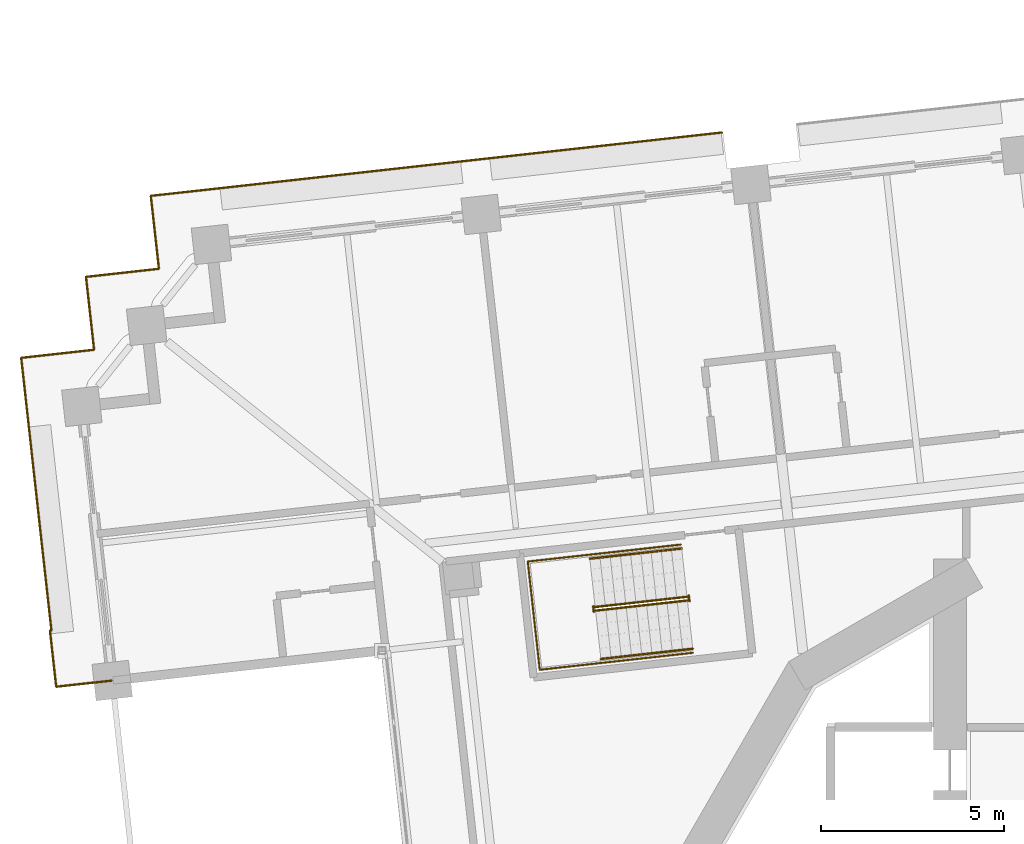
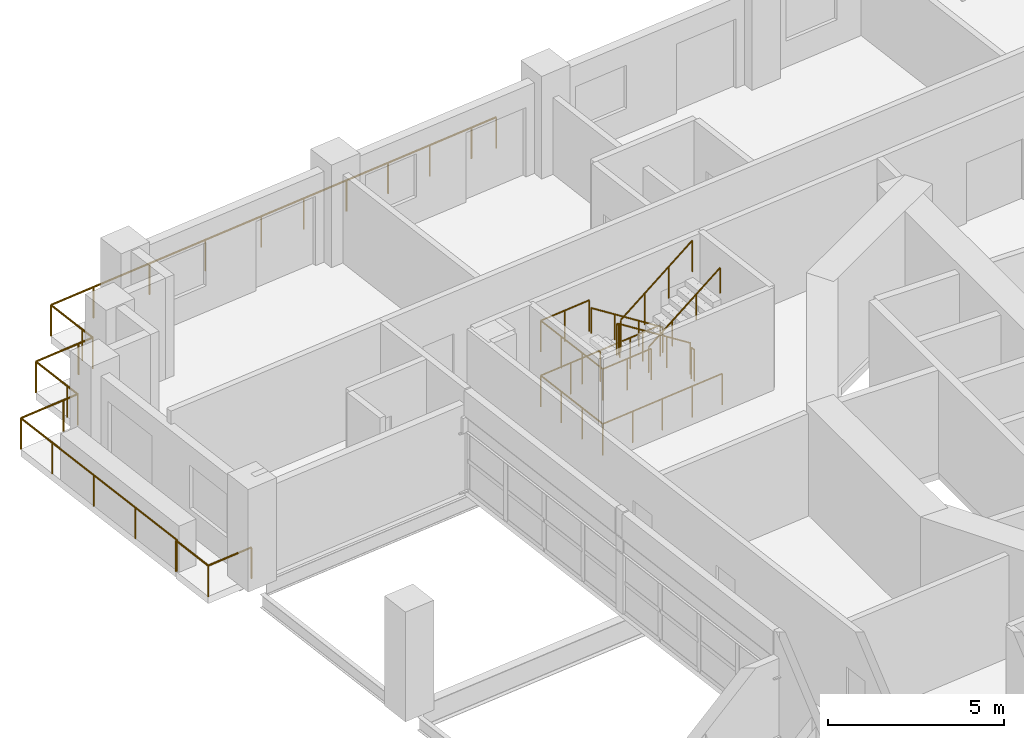
# One storey, part 18 of 21: 9 railings.
"""IFC4 building model written with IfcOpenShell, lengths in metres."""

from ifc_helpers import new_model, si_unit, direction, frame, origin, origin_2d, place, context, subcontext, project, spatial, circle, extrude, material, type_object, element, save


model = new_model("IFC4")

# Units and contexts
model_context = context("Model", 3, precision=1e-05, world=origin(), true_north=direction((0.0, 1.0)))
body_context = subcontext(model_context, "Body", "Model", "MODEL_VIEW")
ifc_project = project(units=[si_unit("LENGTHUNIT", "METRE"), si_unit("AREAUNIT", "SQUARE_METRE"), si_unit("VOLUMEUNIT", "CUBIC_METRE"), si_unit("PLANEANGLEUNIT", "RADIAN"), si_unit("MASSUNIT", "GRAM", prefix="KILO")], contexts=[model_context])

# Site, building, storey
site_placement = place(None, origin())
site = spatial("IfcSite", under=ifc_project, at=site_placement, CompositionType="ELEMENT")
building_placement = place(site_placement, origin())
building = spatial("IfcBuilding", under=site, at=building_placement, Name="Cantera Rosa Tower", CompositionType="ELEMENT")
storey_placement = place(building_placement, frame((0.0, 0.0, 69.10009765625)))
storey = spatial("IfcBuildingStorey", under=building, at=storey_placement, Name="L14", CompositionType="ELEMENT", Elevation=69.10009765625)

# Railings
ifc_material_1 = material(Name="Stainless steel and laminated glass", Category="steel")
railing_type_1 = type_object("IfcRailingType", Name="GUARD 1100", PredefinedType="BALUSTRADE", material=ifc_material_1)
railing_1_placement = place(storey_placement, frame((-28.279541015625, 17.285888671875, 0.0)))
element("IfcRailing", 1, at=railing_1_placement, inside=storey, type_object=railing_type_1, Name="GUARD L14-4", PredefinedType="BALUSTRADE", context=body_context, shape_type="SweptSolid", body=[
    extrude(circle(Radius=0.030029296875, at=origin_2d()), frame((0.0, 0.0, 1.070068359375), z_axis=(0.993895635261, 0.110324368158, 0.0), x_axis=(-0.110324368158, 0.993895635261, 0.0)), (0.0, 0.0, 1.0), 0.500244140625),
    extrude(circle(Radius=0.030029296875, at=origin_2d()), frame((0.4970703125, 0.05517578125, 1.070068359375), z_axis=(-0.110324368158, 0.993895635261, 0.0), x_axis=(-0.993895635261, -0.110324368158, 0.0)), (0.0, 0.0, 1.0), 0.500244140625),
    extrude(circle(Radius=0.030029296875, at=origin_2d()), frame((0.44189453125, 0.55224609375, 1.070068359375), z_axis=(-0.110360064491, 0.993891672249, 0.0), x_axis=(-0.993891672249, -0.110360064491, 0.0)), (0.0, 0.0, 1.0), 1.5),
    extrude(circle(Radius=0.030029296875, at=origin_2d()), frame((0.2763671875, 2.04296875, 1.070068359375), z_axis=(0.993893654236, 0.110342213455, 0.0), x_axis=(-0.110342213455, 0.993893654236, 0.0)), (0.0, 0.0, 1.0), 1.500244140625),
    extrude(circle(Radius=0.030029296875, at=origin_2d()), frame((1.767333984375, 2.20849609375, 1.070068359375), z_axis=(0.9938896893, 0.110377921269, 0.0), x_axis=(-0.110377921269, 0.9938896893, 0.0)), (0.0, 0.0, 1.0), 0.5),
    extrude(circle(Radius=0.030029296875, at=origin_2d()), frame((2.26416015625, 2.263671875, 1.070068359375), z_axis=(-0.110377921269, 0.9938896893, 0.0), x_axis=(-0.9938896893, -0.110377921269, 0.0)), (0.0, 0.0, 1.0), 0.5),
    extrude(circle(Radius=0.030029296875, at=origin_2d()), frame((2.208984375, 2.760498046875, 1.070068359375), z_axis=(-0.110181444005, 0.99391148972, 0.0), x_axis=(-0.99391148972, -0.110181444005, 0.0)), (0.0, 0.0, 1.0), 1.5),
    extrude(circle(Radius=0.030029296875, at=origin_2d()), frame((2.043701171875, 4.25146484375, 1.070068359375), z_axis=(0.993909513469, 0.110199269672, 0.0), x_axis=(-0.110199269672, 0.993909513469, 0.0)), (0.0, 0.0, 1.0), 1.499755859375),
    extrude(circle(Radius=0.030029296875, at=origin_2d()), frame((3.534423828125, 4.416748046875, 1.070068359375), z_axis=(0.993896343916, 0.1103179838, 0.0), x_axis=(-0.1103179838, 0.993896343916, 0.0)), (0.0, 0.0, 1.0), 5.900146484375),
    extrude(circle(Radius=0.030029296875, at=origin_2d()), frame((9.3984375, 5.067626953125, 1.070068359375), z_axis=(0.993892663362, 0.110351138256, 0.0), x_axis=(-0.110351138256, 0.993892663362, 0.0)), (0.0, 0.0, 1.0), 3.0),
    extrude(circle(Radius=0.030029296875, at=origin_2d()), frame((12.380126953125, 5.398681640625, 1.070068359375), z_axis=(0.993897260817, 0.110309722784, 0.0), x_axis=(-0.110309722784, 0.993897260817, 0.0)), (0.0, 0.0, 1.0), 4.39990234375),
    extrude(circle(Radius=0.030029296875, at=origin_2d()), frame((16.753173828125, 5.884033203125, 1.070068359375), z_axis=(0.993900832769, 0.110277534522, 0.0), x_axis=(-0.110277534522, 0.993900832769, 0.0)), (0.0, 0.0, 1.0), 0.8701171875),
    extrude(circle(Radius=0.02490234375, at=origin_2d()), origin(), (0.0, 0.0, 1.0), 1.0400390625),
    extrude(circle(Radius=0.02490234375, at=origin_2d()), frame((0.4970703125, 0.05517578125, 0.0)), (0.0, 0.0, 1.0), 1.0400390625),
    extrude(circle(Radius=0.02490234375, at=origin_2d()), frame((0.44189453125, 0.55224609375, 0.0)), (0.0, 0.0, 1.0), 1.0400390625),
    extrude(circle(Radius=0.02490234375, at=origin_2d()), frame((0.2763671875, 2.04296875, 0.0)), (0.0, 0.0, 1.0), 1.0400390625),
    extrude(circle(Radius=0.02490234375, at=origin_2d()), frame((1.767333984375, 2.20849609375, 0.0)), (0.0, 0.0, 1.0), 1.0400390625),
    extrude(circle(Radius=0.02490234375, at=origin_2d()), frame((2.26416015625, 2.263671875, 0.0)), (0.0, 0.0, 1.0), 1.0400390625),
    extrude(circle(Radius=0.02490234375, at=origin_2d()), frame((2.208984375, 2.760498046875, 0.0)), (0.0, 0.0, 1.0), 1.0400390625),
    extrude(circle(Radius=0.02490234375, at=origin_2d()), frame((2.043701171875, 4.25146484375, 0.0)), (0.0, 0.0, 1.0), 1.0400390625),
    extrude(circle(Radius=0.02490234375, at=origin_2d()), frame((3.534423828125, 4.416748046875, 0.0)), (0.0, 0.0, 1.0), 1.0400390625),
    extrude(circle(Radius=0.02490234375, at=origin_2d()), frame((5.489013671875, 4.6337890625, 0.0)), (0.0, 0.0, 1.0), 1.0400390625),
    extrude(circle(Radius=0.02490234375, at=origin_2d()), frame((7.44384765625, 4.8505859375, 0.0)), (0.0, 0.0, 1.0), 1.0400390625),
    extrude(circle(Radius=0.02490234375, at=origin_2d()), frame((9.3984375, 5.067626953125, 0.0)), (0.0, 0.0, 1.0), 1.0400390625),
    extrude(circle(Radius=0.02490234375, at=origin_2d()), frame((10.88916015625, 5.233154296875, 0.0)), (0.0, 0.0, 1.0), 1.0400390625),
    extrude(circle(Radius=0.02490234375, at=origin_2d()), frame((12.380126953125, 5.398681640625, 0.0)), (0.0, 0.0, 1.0), 1.0400390625),
    extrude(circle(Radius=0.02490234375, at=origin_2d()), frame((13.837890625, 5.560546875, 0.0)), (0.0, 0.0, 1.0), 1.0400390625),
    extrude(circle(Radius=0.02490234375, at=origin_2d()), frame((15.29541015625, 5.72216796875, 0.0)), (0.0, 0.0, 1.0), 1.0400390625),
    extrude(circle(Radius=0.02490234375, at=origin_2d()), frame((16.753173828125, 5.884033203125, 0.0)), (0.0, 0.0, 1.0), 1.0400390625),
    extrude(circle(Radius=0.02490234375, at=origin_2d()), frame((17.617919921875, 5.97998046875, 0.0)), (0.0, 0.0, 1.0), 1.0400390625),
])
railing_2_placement = place(storey_placement, frame((-27.30419921875, 8.31884765625, 0.0)))
element("IfcRailing", 2, at=railing_2_placement, inside=storey, type_object=railing_type_1, Name="GUARD L14-5", PredefinedType="BALUSTRADE", context=body_context, shape_type="SweptSolid", body=[
    extrude(circle(Radius=0.030029296875, at=origin_2d()), frame((0.0, 0.0, 1.070068359375), z_axis=(-0.993895479582, -0.110325770637, 0.0), x_axis=(0.110325770637, -0.993895479582, 0.0)), (0.0, 0.0, 1.0), 1.520263671875),
    extrude(circle(Radius=0.030029296875, at=origin_2d()), frame((-1.510986328125, -0.167724609375, 1.070068359375), z_axis=(-0.11032713688, 0.993895327923, 0.0), x_axis=(-0.993895327923, -0.11032713688, 0.0)), (0.0, 0.0, 1.0), 1.540283203125),
    extrude(circle(Radius=0.030029296875, at=origin_2d()), frame((-1.680908203125, 1.363037109375, 1.070068359375), z_axis=(0.994030677348, 0.109100928002, 0.0), x_axis=(-0.109100928002, 0.994030677348, 0.0)), (0.0, 0.0, 1.0), 0.040283203125),
    extrude(circle(Radius=0.030029296875, at=origin_2d()), frame((-1.640869140625, 1.367431640625, 1.070068359375), z_axis=(-0.110315018508, 0.993896673046, 0.0), x_axis=(-0.993896673046, -0.110315018508, 0.0)), (0.0, 0.0, 1.0), 5.979736328125),
    extrude(circle(Radius=0.030029296875, at=origin_2d()), frame((-2.300537109375, 7.310791015625, 1.070068359375), z_axis=(-0.110360064491, 0.993891672249, 0.0), x_axis=(-0.993891672249, -0.110360064491, 0.0)), (0.0, 0.0, 1.0), 1.5),
    extrude(circle(Radius=0.030029296875, at=origin_2d()), frame((-2.466064453125, 8.801513671875, 1.070068359375), z_axis=(0.993891672249, 0.110360064491, 0.0), x_axis=(-0.110360064491, 0.993891672249, 0.0)), (0.0, 0.0, 1.0), 1.5),
    extrude(circle(Radius=0.02490234375, at=origin_2d()), origin(), (0.0, 0.0, 1.0), 1.0400390625),
    extrude(circle(Radius=0.02490234375, at=origin_2d()), frame((-1.510986328125, -0.167724609375, 0.0)), (0.0, 0.0, 1.0), 1.0400390625),
    extrude(circle(Radius=0.02490234375, at=origin_2d()), frame((-1.680908203125, 1.363037109375, 0.0)), (0.0, 0.0, 1.0), 1.0400390625),
    extrude(circle(Radius=0.02490234375, at=origin_2d()), frame((-1.640869140625, 1.367431640625, 0.0)), (0.0, 0.0, 1.0), 1.0400390625),
    extrude(circle(Radius=0.02490234375, at=origin_2d()), frame((-1.86083984375, 3.3486328125, 0.0)), (0.0, 0.0, 1.0), 1.0400390625),
    extrude(circle(Radius=0.02490234375, at=origin_2d()), frame((-2.08056640625, 5.32958984375, 0.0)), (0.0, 0.0, 1.0), 1.0400390625),
    extrude(circle(Radius=0.02490234375, at=origin_2d()), frame((-2.300537109375, 7.310791015625, 0.0)), (0.0, 0.0, 1.0), 1.0400390625),
    extrude(circle(Radius=0.02490234375, at=origin_2d()), frame((-2.466064453125, 8.801513671875, 0.0)), (0.0, 0.0, 1.0), 1.0400390625),
    extrude(circle(Radius=0.02490234375, at=origin_2d()), frame((-0.975341796875, 8.967041015625, 0.0)), (0.0, 0.0, 1.0), 1.0400390625),
])
ifc_material_2 = material(Name="Steel S355J2 (EN 10025-2)", Category="steel")
railing_type_2 = type_object("IfcRailingType", Name="STAIR GUARD 1100", PredefinedType="GUARDRAIL", material=ifc_material_2)
railing_3_placement = place(storey_placement, frame((-11.614013671875, 10.60302734375, 0.18994140625)))
element("IfcRailing", 3, at=railing_3_placement, inside=storey, type_object=railing_type_2, Name="L14 ST-12 stair guard 1", PredefinedType="GUARDRAIL", context=body_context, shape_type="SweptSolid", body=[
    extrude(circle(Radius=0.02392578125, at=origin_2d()), frame((0.0, 0.0, 1.076171875), z_axis=(-0.822437355244, -0.09123050105, 0.561492468674), x_axis=(0.110250758185, -0.993903803353, 0.0)), (0.0, 0.0, 1.0), 3.04541015625),
    extrude(circle(Radius=0.02392578125, at=origin_2d()), frame((-2.504638671875, -0.27783203125, 2.7861328125), z_axis=(-0.932897555956, 0.360141847183, 0.0), x_axis=(-0.360141847183, -0.932897555956, 0.0)), (0.0, 0.0, 1.0), 0.05615234375),
    extrude(circle(Radius=0.02392578125, at=origin_2d()), frame((-2.55712890625, -0.257568359375, 2.7861328125), z_axis=(0.110610055588, -0.993863881828, 0.0), x_axis=(0.993863881828, 0.110610055588, 0.0)), (0.0, 0.0, 1.0), 0.150146484375),
    extrude(circle(Radius=0.02099609375, at=origin_2d()), origin(), (0.0, 0.0, 1.0), 1.052001953125),
    extrude(circle(Radius=0.02099609375, at=origin_2d()), frame((-0.8349609375, -0.092529296875, 0.570068359375)), (0.0, 0.0, 1.0), 1.052001953125),
    extrude(circle(Radius=0.02099609375, at=origin_2d()), frame((-1.669677734375, -0.185302734375, 1.139892578125)), (0.0, 0.0, 1.0), 1.052001953125),
    extrude(circle(Radius=0.02099609375, at=origin_2d()), frame((-2.504638671875, -0.27783203125, 1.7099609375)), (0.0, 0.0, 1.0), 1.052001953125),
    extrude(circle(Radius=0.02099609375, at=origin_2d()), frame((-2.55712890625, -0.257568359375, 1.7099609375)), (0.0, 0.0, 1.0), 1.052001953125),
    extrude(circle(Radius=0.02099609375, at=origin_2d()), frame((-2.54052734375, -0.40673828125, 1.7099609375)), (0.0, 0.0, 1.0), 1.052001953125),
])
railing_4_placement = place(storey_placement, frame((-14.107666015625, 10.227783203125, 2.08984375)))
element("IfcRailing", 4, at=railing_4_placement, inside=storey, type_object=railing_type_2, Name="L14 ST-12 stair guard 2", PredefinedType="GUARDRAIL", context=body_context, shape_type="SweptSolid", body=[
    extrude(circle(Radius=0.02392578125, at=origin_2d()), frame((0.0, 0.0, 1.076171875), z_axis=(0.822437355244, 0.09123050105, 0.561492468674), x_axis=(-0.110250758185, 0.993903803353, 0.0)), (0.0, 0.0, 1.0), 3.04541015625),
    extrude(circle(Radius=0.02099609375, at=origin_2d()), origin(), (0.0, 0.0, 1.0), 1.052001953125),
    extrude(circle(Radius=0.02099609375, at=origin_2d()), frame((0.8349609375, 0.092529296875, 0.570068359375)), (0.0, 0.0, 1.0), 1.052001953125),
    extrude(circle(Radius=0.02099609375, at=origin_2d()), frame((1.669677734375, 0.185302734375, 1.139892578125)), (0.0, 0.0, 1.0), 1.052001953125),
    extrude(circle(Radius=0.02099609375, at=origin_2d()), frame((2.504638671875, 0.27783203125, 1.7099609375)), (0.0, 0.0, 1.0), 1.052001953125),
])
railing_5_placement = place(storey_placement, frame((-11.567138671875, 10.634521484375, 0.0)))
element("IfcRailing", 5, at=railing_5_placement, inside=storey, type_object=railing_type_2, Name="L14 ST-12 stair guard 3", PredefinedType="GUARDRAIL", context=body_context, shape_type="SweptSolid", body=[
    extrude(circle(Radius=0.02392578125, at=origin_2d()), frame((0.0, 0.0, 1.076171875), z_axis=(0.110610055588, -0.993863881828, 0.0), x_axis=(0.993863881828, 0.110610055588, 0.0)), (0.0, 0.0, 1.0), 0.150146484375),
    extrude(circle(Radius=0.02099609375, at=origin_2d()), origin(), (0.0, 0.0, 1.0), 1.052001953125),
    extrude(circle(Radius=0.02099609375, at=origin_2d()), frame((0.0166015625, -0.149169921875, 0.0)), (0.0, 0.0, 1.0), 1.052001953125),
])
railing_6_placement = place(storey_placement, frame((-11.7841796875, 12.029052734375, 0.0)))
element("IfcRailing", 6, at=railing_6_placement, inside=storey, type_object=railing_type_2, Name="L14 ST-12 stair guard 4", PredefinedType="GUARDRAIL", context=body_context, shape_type="SweptSolid", body=[
    extrude(circle(Radius=0.02392578125, at=origin_2d()), frame((0.0, 0.0, 1.076171875), z_axis=(-0.9938957856, -0.110323013767, 0.0), x_axis=(0.110323013767, -0.9938957856, 0.0)), (0.0, 0.0, 1.0), 4.197998046875),
    extrude(circle(Radius=0.02392578125, at=origin_2d()), frame((-4.17236328125, -0.463134765625, 1.076171875), z_axis=(0.11023303584, -0.99390576908, 0.0), x_axis=(0.99390576908, 0.11023303584, 0.0)), (0.0, 0.0, 1.0), 2.969970703125),
    extrude(circle(Radius=0.02392578125, at=origin_2d()), frame((-3.844970703125, -3.4150390625, 1.076171875), z_axis=(0.993896493372, 0.11031663729, 0.0), x_axis=(-0.11031663729, 0.993896493372, 0.0)), (0.0, 0.0, 1.0), 4.1982421875),
    extrude(circle(Radius=0.02099609375, at=origin_2d()), origin(), (0.0, 0.0, 1.0), 1.052001953125),
    extrude(circle(Radius=0.02099609375, at=origin_2d()), frame((-1.04296875, -0.11572265625, 0.0)), (0.0, 0.0, 1.0), 1.052001953125),
    extrude(circle(Radius=0.02099609375, at=origin_2d()), frame((-2.086181640625, -0.2314453125, 0.0)), (0.0, 0.0, 1.0), 1.052001953125),
    extrude(circle(Radius=0.02099609375, at=origin_2d()), frame((-3.12939453125, -0.347412109375, 0.0)), (0.0, 0.0, 1.0), 1.052001953125),
    extrude(circle(Radius=0.02099609375, at=origin_2d()), frame((-4.17236328125, -0.463134765625, 0.0)), (0.0, 0.0, 1.0), 1.052001953125),
    extrude(circle(Radius=0.02099609375, at=origin_2d()), frame((-4.063232421875, -1.447021484375, 0.0)), (0.0, 0.0, 1.0), 1.052001953125),
    extrude(circle(Radius=0.02099609375, at=origin_2d()), frame((-3.9541015625, -2.43115234375, 0.0)), (0.0, 0.0, 1.0), 1.052001953125),
    extrude(circle(Radius=0.02099609375, at=origin_2d()), frame((-3.844970703125, -3.4150390625, 0.0)), (0.0, 0.0, 1.0), 1.052001953125),
    extrude(circle(Radius=0.02099609375, at=origin_2d()), frame((-2.8017578125, -3.29931640625, 0.0)), (0.0, 0.0, 1.0), 1.052001953125),
    extrude(circle(Radius=0.02099609375, at=origin_2d()), frame((-1.7587890625, -3.18359375, 0.0)), (0.0, 0.0, 1.0), 1.052001953125),
    extrude(circle(Radius=0.02099609375, at=origin_2d()), frame((-0.715576171875, -3.067626953125, 0.0)), (0.0, 0.0, 1.0), 1.052001953125),
    extrude(circle(Radius=0.02099609375, at=origin_2d()), frame((0.32763671875, -2.951904296875, 0.0)), (0.0, 0.0, 1.0), 1.052001953125),
])
railing_7_placement = place(storey_placement, frame((-14.26513671875, 11.753662109375, 1.89990234375)))
element("IfcRailing", 7, at=railing_7_placement, inside=storey, type_object=railing_type_2, Name="L14 ST-12 stair guard 5", PredefinedType="GUARDRAIL", context=body_context, shape_type="SweptSolid", body=[
    extrude(circle(Radius=0.02392578125, at=origin_2d()), frame((0.0, 0.0, 1.076171875), z_axis=(-0.99389597521, -0.110321305562, 0.0), x_axis=(0.110321305562, -0.99389597521, 0.0)), (0.0, 0.0, 1.0), 1.701904296875),
    extrude(circle(Radius=0.02392578125, at=origin_2d()), frame((-1.69140625, -0.187744140625, 1.076171875), z_axis=(0.11023303584, -0.99390576908, 0.0), x_axis=(0.99390576908, 0.11023303584, 0.0)), (0.0, 0.0, 1.0), 2.969970703125),
    extrude(circle(Radius=0.02392578125, at=origin_2d()), frame((-1.364013671875, -3.1396484375, 1.076171875), z_axis=(0.993897720867, 0.110305577623, 0.0), x_axis=(-0.110305577623, 0.993897720867, 0.0)), (0.0, 0.0, 1.0), 1.7021484375),
    extrude(circle(Radius=0.02099609375, at=origin_2d()), origin(), (0.0, 0.0, 1.0), 1.052001953125),
    extrude(circle(Radius=0.02099609375, at=origin_2d()), frame((-0.845703125, -0.09375, 0.0)), (0.0, 0.0, 1.0), 1.052001953125),
    extrude(circle(Radius=0.02099609375, at=origin_2d()), frame((-1.69140625, -0.187744140625, 0.0)), (0.0, 0.0, 1.0), 1.052001953125),
    extrude(circle(Radius=0.02099609375, at=origin_2d()), frame((-1.582275390625, -1.171630859375, 0.0)), (0.0, 0.0, 1.0), 1.052001953125),
    extrude(circle(Radius=0.02099609375, at=origin_2d()), frame((-1.47314453125, -2.15576171875, 0.0)), (0.0, 0.0, 1.0), 1.052001953125),
    extrude(circle(Radius=0.02099609375, at=origin_2d()), frame((-1.364013671875, -3.1396484375, 0.0)), (0.0, 0.0, 1.0), 1.052001953125),
    extrude(circle(Radius=0.02099609375, at=origin_2d()), frame((-0.51806640625, -3.0458984375, 0.0)), (0.0, 0.0, 1.0), 1.052001953125),
    extrude(circle(Radius=0.02099609375, at=origin_2d()), frame((0.32763671875, -2.951904296875, 0.0)), (0.0, 0.0, 1.0), 1.052001953125),
])
ifc_material_3 = material(Name="Steel S355J2 (EN 10025-2)", Category="steel")
railing_type_3 = type_object("IfcRailingType", Name="STAIR HANDRAIL 900", PredefinedType="HANDRAIL", material=ifc_material_3)
railing_8_placement = place(storey_placement, frame((-11.76025390625, 11.921142578125, 0.18994140625)))
element("IfcRailing", 8, at=railing_8_placement, inside=storey, type_object=railing_type_3, Name="L14 ST-12 stair handrail 1", PredefinedType="HANDRAIL", context=body_context, shape_type="SweptSolid", body=[
    extrude(circle(Radius=0.02392578125, at=origin_2d()), frame((0.0, 0.0, 0.8759765625), z_axis=(-0.822431337597, -0.091310000343, 0.561488360321), x_axis=(0.110346460196, -0.993893182753, 0.0)), (0.0, 0.0, 1.0), 3.04541015625),
    extrude(circle(Radius=0.02099609375, at=origin_2d()), origin(), (0.0, 0.0, 1.0), 0.851806640625),
    extrude(circle(Radius=0.02099609375, at=origin_2d()), frame((-0.8349609375, -0.0927734375, 0.570068359375)), (0.0, 0.0, 1.0), 0.851806640625),
    extrude(circle(Radius=0.02099609375, at=origin_2d()), frame((-1.669677734375, -0.185302734375, 1.139892578125)), (0.0, 0.0, 1.0), 0.851806640625),
    extrude(circle(Radius=0.02099609375, at=origin_2d()), frame((-2.504638671875, -0.278076171875, 1.7099609375)), (0.0, 0.0, 1.0), 0.851806640625),
])
railing_9_placement = place(storey_placement, frame((-13.96142578125, 8.909912109375, 2.08984375)))
element("IfcRailing", 9, at=railing_9_placement, inside=storey, type_object=railing_type_3, Name="L14 ST-12 stair handrail 2", PredefinedType="HANDRAIL", context=body_context, shape_type="SweptSolid", body=[
    extrude(circle(Radius=0.02392578125, at=origin_2d()), frame((0.0, 0.0, 0.8759765625), z_axis=(0.822437355244, 0.09123050105, 0.561492468674), x_axis=(-0.110250758185, 0.993903803353, 0.0)), (0.0, 0.0, 1.0), 3.04541015625),
    extrude(circle(Radius=0.02099609375, at=origin_2d()), origin(), (0.0, 0.0, 1.0), 0.851806640625),
    extrude(circle(Radius=0.02099609375, at=origin_2d()), frame((0.8349609375, 0.092529296875, 0.570068359375)), (0.0, 0.0, 1.0), 0.851806640625),
    extrude(circle(Radius=0.02099609375, at=origin_2d()), frame((1.669677734375, 0.185302734375, 1.139892578125)), (0.0, 0.0, 1.0), 0.851806640625),
    extrude(circle(Radius=0.02099609375, at=origin_2d()), frame((2.504638671875, 0.27783203125, 1.7099609375)), (0.0, 0.0, 1.0), 0.851806640625),
])

save(model, "model.ifc")
